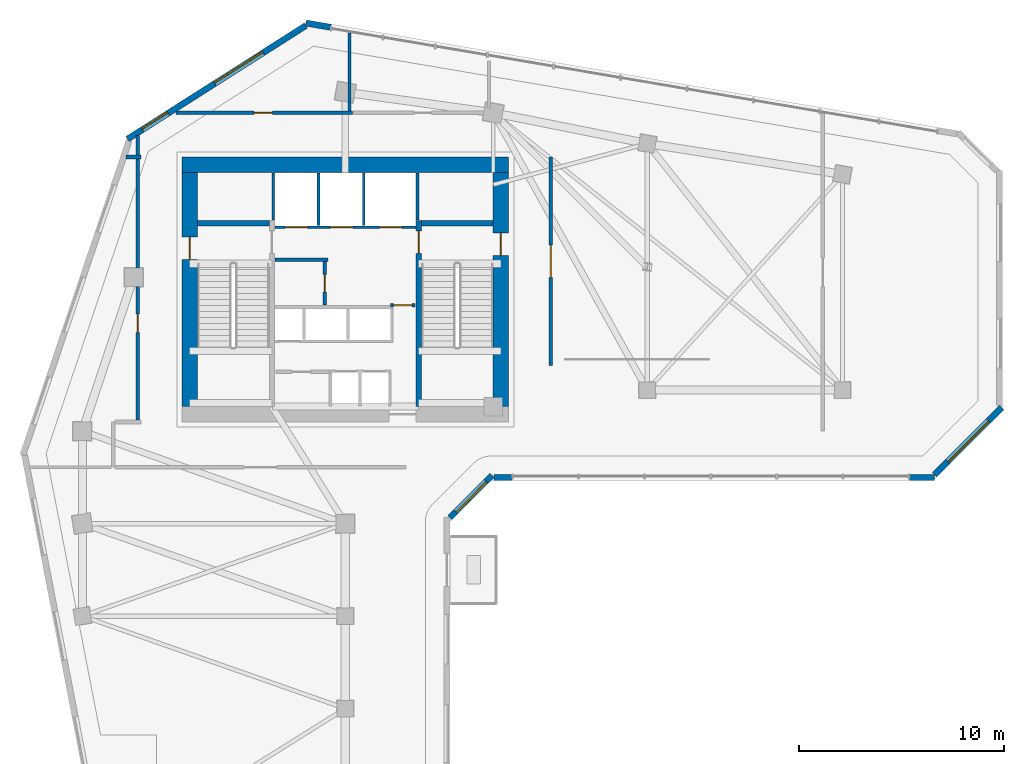
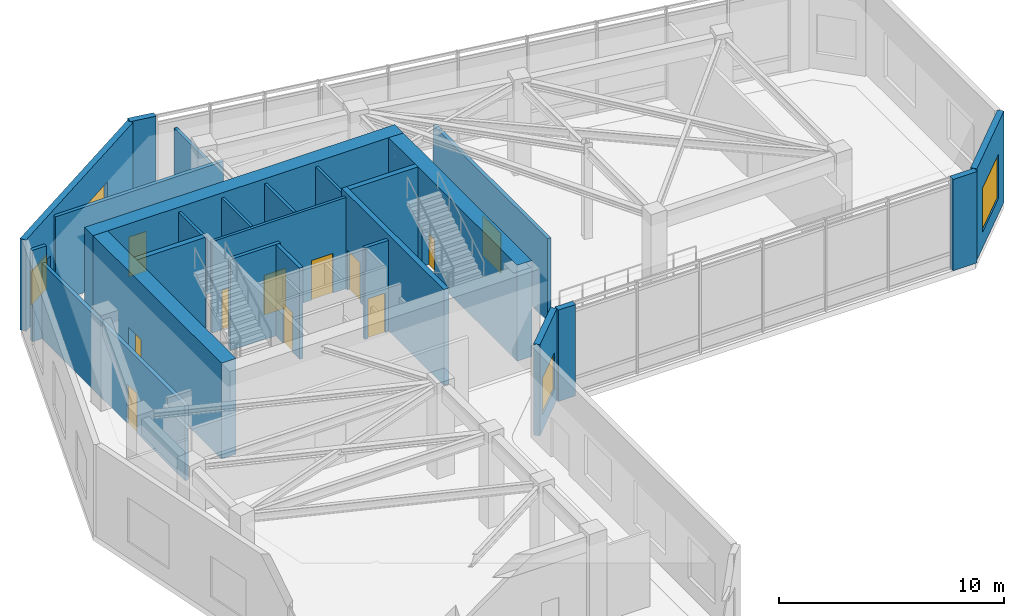
# One storey, part 5 of 9: 25 walls, 11 doors, 4 windows, 15 openings.
"""IFC4 building model written with IfcOpenShell, lengths in metres."""

import ifcopenshell
import ifcopenshell.guid

model = None  # the IFC model being written
_history = None  # IfcOwnerHistory: only IFC2X3 demands one
_inside = {}  # id of a spatial element -> (the spatial element, [elements in it])
_under = {}  # id of a project, library or spatial element -> (it, [spatial elements below it])
_declared = {}  # id of a project -> (the project, [libraries it declares])
_typed = {}  # id of a type object -> (the type object, [elements of that type])
_made_of = {}  # id of a material, layer set ... -> (it, [elements and type objects made of it])


def new_model(schema):
    """Start an empty IFC model of exactly this schema.

    Asked for "IFC4X3", IfcOpenShell would pick the latest addendum, in which some entities
    have other attributes; the version numbers below select the first issue.
    IFC2X3 requires an IfcOwnerHistory on every rooted entity: one is made here for all.
    """
    global model, _history
    if schema == "IFC4X3":
        model = ifcopenshell.file(schema_version=(4, 3, 0, 0))
    else:
        model = ifcopenshell.file(schema=schema)
    _inside.clear()
    _under.clear()
    _declared.clear()
    _typed.clear()
    _made_of.clear()
    _history = None
    if model.schema == "IFC2X3":
        org = make("IfcOrganization", Name="unknown")
        user = make(
            "IfcPersonAndOrganization",
            ThePerson=make("IfcPerson", FamilyName="unknown"),
            TheOrganization=org,
        )
        app = make(
            "IfcApplication",
            ApplicationDeveloper=org,
            Version="unknown",
            ApplicationFullName="unknown",
            ApplicationIdentifier="unknown",
        )
        _history = make(
            "IfcOwnerHistory",
            OwningUser=user,
            OwningApplication=app,
            ChangeAction="ADDED",
            CreationDate=0,
        )
    return model


def make(cls, **values):
    """One entity of the class cls with the attributes given. An attribute that is None is left unset."""
    return model.create_entity(
        cls, **{name: value for name, value in values.items() if value is not None}
    )


def rooted(cls, **values):
    """An entity with a GlobalId (a new one), such as an element, a storey or a relation."""
    return make(cls, GlobalId=ifcopenshell.guid.new(), OwnerHistory=_history, **values)


def si_unit(unit_type, name, prefix=None):
    """IfcSIUnit, for example si_unit("LENGTHUNIT", "METRE", prefix="MILLI")."""
    return make("IfcSIUnit", UnitType=unit_type, Prefix=prefix, Name=name)


def assignment(units):
    """IfcUnitAssignment: the units of a project."""
    return None if units is None else make("IfcUnitAssignment", Units=units)


def point(xyz):
    """IfcCartesianPoint."""
    return None if xyz is None else make("IfcCartesianPoint", Coordinates=xyz)


def direction(xyz):
    """IfcDirection."""
    return None if xyz is None else make("IfcDirection", DirectionRatios=xyz)


def frame(location, z_axis=None, x_axis=None):
    """IfcAxis2Placement3D, a coordinate frame: its origin and axes. An axis left out is left unset."""
    return make(
        "IfcAxis2Placement3D",
        Location=point(location),
        Axis=direction(z_axis),
        RefDirection=direction(x_axis),
    )


def frame_2d(location, x_axis=None):
    """IfcAxis2Placement2D, a coordinate frame in the plane: its origin and x axis."""
    return make(
        "IfcAxis2Placement2D", Location=point(location), RefDirection=direction(x_axis)
    )


def origin():
    """The frame at (0, 0, 0) with its axes left unset."""
    return frame((0.0, 0.0, 0.0))


def place(relative_to, where):
    """IfcLocalPlacement: puts the frame where relative to a parent placement (None: the world)."""
    return make(
        "IfcLocalPlacement", PlacementRelTo=relative_to, RelativePlacement=where
    )


def context(
    kind, dimensions, precision=None, world=None, true_north=None, identifier=None
):
    """IfcGeometricRepresentationContext, for example the 3D "Model" context."""
    return make(
        "IfcGeometricRepresentationContext",
        ContextIdentifier=identifier,
        ContextType=kind,
        CoordinateSpaceDimension=dimensions,
        Precision=precision,
        WorldCoordinateSystem=world,
        TrueNorth=true_north,
    )


def subcontext(parent, identifier, kind, view, scale=None):
    """IfcGeometricRepresentationSubContext, for example "Body" below "Model"."""
    return make(
        "IfcGeometricRepresentationSubContext",
        ContextIdentifier=identifier,
        ContextType=kind,
        ParentContext=parent,
        TargetScale=scale,
        TargetView=view,
    )


def project(units=None, contexts=None):
    """IfcProject with its units and contexts."""
    return rooted(
        "IfcProject",
        Name="project",
        RepresentationContexts=contexts,
        UnitsInContext=assignment(units),
    )


def spatial(cls, under=None, at=None, **own):
    """A site, building, storey or space (cls), placed at a placement, below another one or the project."""
    s = rooted(cls, ObjectPlacement=at, **own)
    if under is not None:
        _under.setdefault(under.id(), (under, []))[1].append(s)
    return s


def profile(cls, at=None, kind="AREA", **sizes):
    """A parametric profile (cls). Its sizes go by their IFC names, for example OverallWidth=200.0."""
    return make(cls, ProfileType=kind, Position=at, **sizes)


def rectangle(**sizes):
    """IfcRectangleProfileDef."""
    return profile("IfcRectangleProfileDef", **sizes)


def extrude(swept, where, along, depth):
    """IfcExtrudedAreaSolid: the profile swept, set in the frame where, extruded along a direction by depth."""
    return make(
        "IfcExtrudedAreaSolid",
        SweptArea=swept,
        Position=where,
        ExtrudedDirection=direction(along),
        Depth=depth,
    )


def shape(context_of_items, identifier, shape_type, items):
    """IfcShapeRepresentation: the items that make up one representation, for example the "Body"."""
    return make(
        "IfcShapeRepresentation",
        ContextOfItems=context_of_items,
        RepresentationIdentifier=identifier,
        RepresentationType=shape_type,
        Items=items,
    )


def source(mapping_origin, context_of_items, identifier, shape_type, items):
    """IfcRepresentationMap: a shape defined once, which mapped items show again and again."""
    return make(
        "IfcRepresentationMap",
        MappingOrigin=mapping_origin,
        MappedRepresentation=shape(context_of_items, identifier, shape_type, items),
    )


def transform(
    local_origin,
    x_axis=None,
    y_axis=None,
    z_axis=None,
    scale=None,
    scale2=None,
    scale3=None,
    uniform=True,
):
    """IfcCartesianTransformationOperator3D, or its non-uniform kind. x_axis, y_axis, z_axis: its Axis1, 2, 3."""
    if uniform:
        return make(
            "IfcCartesianTransformationOperator3D",
            Axis1=direction(x_axis),
            Axis2=direction(y_axis),
            LocalOrigin=point(local_origin),
            Scale=scale,
            Axis3=direction(z_axis),
        )
    return make(
        "IfcCartesianTransformationOperator3DnonUniform",
        Axis1=direction(x_axis),
        Axis2=direction(y_axis),
        LocalOrigin=point(local_origin),
        Scale=scale,
        Axis3=direction(z_axis),
        Scale2=scale2,
        Scale3=scale3,
    )


def mapped(mapping_source, mapping_target):
    """IfcMappedItem: shows the shape of a source again, moved by a transform."""
    return make(
        "IfcMappedItem", MappingSource=mapping_source, MappingTarget=mapping_target
    )


def material(Name=None, Category=None):
    """IfcMaterial."""
    return make("IfcMaterial", Name=Name, Category=Category)


def layer(
    of_material, thickness, ventilated=None, Name=None, Category=None, Priority=None
):
    """IfcMaterialLayer: one layer of a wall or slab, of a material (None: an air gap)."""
    return make(
        "IfcMaterialLayer",
        Material=of_material,
        LayerThickness=thickness,
        IsVentilated=ventilated,
        Name=Name,
        Category=Category,
        Priority=Priority,
    )


def layer_set(layers, Name=None):
    """IfcMaterialLayerSet."""
    return make("IfcMaterialLayerSet", MaterialLayers=layers, LayerSetName=Name)


def made_of(thing, what):
    """Note that an element or type object is made of a material, layer set ...; save() writes the relation."""
    if what is not None:
        _made_of.setdefault(what.id(), (what, []))[1].append(thing)
    return thing


def type_object(cls, material=None, **own):
    """A type object (cls), such as IfcWallType, which elements share."""
    return made_of(rooted(cls, **own), material)


def element(
    cls,
    number,
    at=None,
    inside=None,
    cuts=None,
    type_object=None,
    material=None,
    context=None,
    identifier="Body",
    shape_type=None,
    held_by="IfcProductDefinitionShape",
    body=None,
    shapes=None,
    **own,
):
    """One element of the class cls, such as IfcWall. Its Tag is "e" and its number.

    at: its placement. inside: the storey or other place that contains it. cuts: it is an
    opening in that element (IfcRelVoidsElement). A single representation is given by context,
    identifier, shape_type and body (its items); several are given by shapes. held_by: the class
    of the entity that holds the representations. save() writes the other relations.
    """
    e = rooted(cls, Tag="e%d" % number, ObjectPlacement=at, **own)
    if body is not None:
        shapes = [shape(context, identifier, shape_type, body)]
    if shapes is not None:
        e.Representation = make(held_by, Representations=shapes)
    if inside is not None:
        _inside.setdefault(inside.id(), (inside, []))[1].append(e)
    if cuts is not None:
        rooted(
            "IfcRelVoidsElement", RelatingBuildingElement=cuts, RelatedOpeningElement=e
        )
    if type_object is not None:
        _typed.setdefault(type_object.id(), (type_object, []))[1].append(e)
    return made_of(e, material)


def fill(opening, filler):
    """IfcRelFillsElement: the door or window that sits in an opening."""
    return rooted(
        "IfcRelFillsElement",
        RelatingOpeningElement=opening,
        RelatedBuildingElement=filler,
    )


def aggregate(whole, parts):
    """IfcRelAggregates: a whole, such as a stair, and the parts it consists of."""
    return rooted("IfcRelAggregates", RelatingObject=whole, RelatedObjects=parts)


def save(model, path):
    """Write the relations noted so far, then the file.

    IfcRelAggregates (storeys below a building ...), IfcRelContainedInSpatialStructure (elements
    in a storey), IfcRelDefinesByType, IfcRelAssociatesMaterial and IfcRelDeclares: one each for
    every whole, place, type object, material and project.
    """
    for whole, parts in _under.values():
        aggregate(whole, parts)
    for where, things in _inside.values():
        rooted(
            "IfcRelContainedInSpatialStructure",
            RelatedElements=things,
            RelatingStructure=where,
        )
    for kind, things in _typed.values():
        rooted("IfcRelDefinesByType", RelatedObjects=things, RelatingType=kind)
    for what, things in _made_of.values():
        rooted("IfcRelAssociatesMaterial", RelatedObjects=things, RelatingMaterial=what)
    for by, libraries in _declared.values():
        rooted("IfcRelDeclares", RelatingContext=by, RelatedDefinitions=libraries)
    model.write(path)


model = new_model("IFC4")

# Units and contexts
model_context = context("Model", 3, precision=1e-05, world=origin(), true_north=direction((0.0, 1.0)))
body_context = subcontext(model_context, "Body", "Model", "MODEL_VIEW")
ifc_project = project(units=[si_unit("LENGTHUNIT", "METRE"), si_unit("AREAUNIT", "SQUARE_METRE"), si_unit("VOLUMEUNIT", "CUBIC_METRE"), si_unit("PLANEANGLEUNIT", "RADIAN"), si_unit("MASSUNIT", "GRAM", prefix="KILO")], contexts=[model_context])

# Site, building, storey
site_placement = place(None, origin())
site = spatial("IfcSite", under=ifc_project, at=site_placement, CompositionType="ELEMENT")
building_placement = place(site_placement, origin())
building = spatial("IfcBuilding", under=site, at=building_placement, Name="Calvemar Wedge Station Tower", CompositionType="ELEMENT")
storey_placement = place(building_placement, frame((0.0, 0.0, 105.39990234375)))
storey = spatial("IfcBuildingStorey", under=building, at=storey_placement, Name="L25", CompositionType="ELEMENT", Elevation=105.39990234375)

# Wall, opening, door
ifc_material_1 = material(Name="Concrete C50", Category="concrete")
ifc_layer_1 = layer(ifc_material_1, 0.260009765625)
ifc_layer_set_1 = layer_set([ifc_layer_1], Name="Concrete C50")
wall_type_1 = type_object("IfcWallType", Name="SW-CORE-260", PredefinedType="SHEAR", material=ifc_layer_set_1)
wall_1_placement = place(storey_placement, frame((27.3701171875, 34.199951171875, 0.0), z_axis=(0.0, 0.0, 1.0), x_axis=(0.0, 1.0, 0.0)))
wall_1 = element("IfcWall", 1, at=wall_1_placement, inside=storey, type_object=wall_type_1, Name="Storey L25 Core Shear Wall SPINE-E", PredefinedType="SHEAR", context=body_context, shape_type="SweptSolid", body=[
    extrude(rectangle(XDim=9.06005859375, YDim=0.260009765625, at=frame_2d((4.530029296875, 0.0))), origin(), (0.0, 0.0, 1.0), 5.2001953125),
])
shared_shape_1 = source(origin(), body_context, "Body", "SweptSolid", [
    extrude(rectangle(XDim=1.10009765625, YDim=2.14990234375, at=frame_2d((0.550048828125, 1.074951171875))), frame((0.0, 0.14013671875, 0.0), z_axis=(0.0, -1.0, 0.0), x_axis=(1.0, 0.0, 0.0)), (0.0, 0.0, 1.0), 0.280029296875),
])
opening_1_placement = place(wall_1_placement, frame((7.449951171875, 0.0, 0.0)))
opening_1 = element("IfcOpeningElement", 2, at=opening_1_placement, cuts=wall_1, Name="Opening FD-90", PredefinedType="OPENING", context=body_context, shape_type="MappedRepresentation", body=[
    mapped(shared_shape_1, transform((0.0, 0.0, 0.0), scale=1.0)),
])
ifc_material_2 = material(Name="Galvanized fire-rated steel door leaf P-90", Category="steel")
door_type_1 = type_object("IfcDoorType", Name="DR-FD90-1100", OperationType="NOTDEFINED", PredefinedType="DOOR", material=ifc_material_2)
shared_shape_2 = source(origin(), body_context, "Body", "SweptSolid", [
    extrude(rectangle(XDim=1.10009765625, YDim=2.14990234375, at=frame_2d((0.550048828125, 1.074951171875))), frame((0.0, 0.02490234375, 0.0), z_axis=(0.0, -1.0, 0.0), x_axis=(1.0, 0.0, 0.0)), (0.0, 0.0, 1.0), 0.050048828125),
])
door_1_placement = place(opening_1_placement, origin())
door_1 = element("IfcDoor", 3, at=door_1_placement, inside=storey, type_object=door_type_1, Name="L25 FF Lobby to Stair ST-C2 Door", OperationType="SINGLE_SWING_LEFT", OverallHeight=2.14990234375, OverallWidth=1.10009765625, PredefinedType="DOOR", context=body_context, shape_type="MappedRepresentation", body=[
    mapped(shared_shape_2, transform((0.0, 0.0, 0.0), scale=1.0)),
])
fill(opening_1, door_1)

# Walls
for number, where, z_axis, x_axis, name in (
    (4, (16.60009765625, 43.1298828125, 0.0), (0.0, 0.0, 1.0), (1.0, 0.0, 0.0), "Storey L25 Core Shear Wall STC1-N"),
    (5, (27.5, 43.1298828125, 0.0), (0.0, 0.0, 1.0), (1.0, 0.0, 0.0), "Storey L25 Core Shear Wall STC2-N"),
):
    element("IfcWall", number, at=place(storey_placement, frame(where, z_axis=z_axis, x_axis=x_axis)), inside=storey, type_object=wall_type_1, Name=name, PredefinedType="SHEAR", context=body_context, shape_type="SweptSolid", body=[
        extrude(rectangle(XDim=3.5, YDim=0.260009765625, at=frame_2d((1.75, 0.0))), origin(), (0.0, 0.0, 1.0), 5.2001953125),
    ])
ifc_material_3 = material(Name="Concrete C70", Category="concrete")
ifc_layer_2 = layer(ifc_material_3, 0.75)
ifc_layer_set_2 = layer_set([ifc_layer_2], Name="Concrete C70")
wall_type_2 = type_object("IfcWallType", Name="SW-CORE-750", PredefinedType="SHEAR", material=ifc_layer_set_2)
wall_2_placement = place(storey_placement, frame((15.85009765625, 45.97509765625, 0.0), z_axis=(0.0, 0.0, 1.0), x_axis=(1.0, 0.0, 0.0)))
element("IfcWall", 6, at=wall_2_placement, inside=storey, type_object=wall_type_2, Name="Storey L25 Core Shear Wall N", PredefinedType="SHEAR", context=body_context, shape_type="SweptSolid", body=[
    extrude(rectangle(XDim=15.89990234375, YDim=0.75, at=frame_2d((7.949951171875, 0.0))), origin(), (0.0, 0.0, 1.0), 5.2001953125),
])

# Wall, opening, door
wall_3_placement = place(storey_placement, frame((16.22509765625, 34.199951171875, 0.0), z_axis=(0.0, 0.0, 1.0), x_axis=(0.0, 1.0, 0.0)))
wall_3 = element("IfcWall", 7, at=wall_3_placement, inside=storey, type_object=wall_type_2, Name="Storey L25 Core Shear Wall W", PredefinedType="SHEAR", context=body_context, shape_type="SweptSolid", body=[
    extrude(rectangle(XDim=11.400146484375, YDim=0.75, at=frame_2d((5.7001953125, 0.0))), origin(), (0.0, 0.0, 1.0), 5.2001953125),
])
shared_shape_3 = source(origin(), body_context, "Body", "SweptSolid", [
    extrude(rectangle(XDim=1.10009765625, YDim=2.14990234375, at=frame_2d((0.550048828125, 1.074951171875))), frame((0.0, 0.385009765625, 0.0), z_axis=(0.0, -1.0, 0.0), x_axis=(1.0, 0.0, 0.0)), (0.0, 0.0, 1.0), 0.77001953125),
])
opening_2_placement = place(wall_3_placement, frame((7.14990234375, 0.0, 0.0)))
opening_2 = element("IfcOpeningElement", 8, at=opening_2_placement, cuts=wall_3, Name="Opening FD-90", PredefinedType="OPENING", context=body_context, shape_type="MappedRepresentation", body=[
    mapped(shared_shape_3, transform((0.0, 0.0, 0.0), scale=1.0)),
])
door_2_placement = place(opening_2_placement, origin())
door_2 = element("IfcDoor", 9, at=door_2_placement, inside=storey, type_object=door_type_1, Name="L25 West Corridor to Exit Stair ST-C1 Door", OperationType="SINGLE_SWING_RIGHT", OverallHeight=2.14990234375, OverallWidth=1.10009765625, PredefinedType="DOOR", context=body_context, shape_type="MappedRepresentation", body=[
    mapped(shared_shape_2, transform((0.0, 0.0, 0.0), scale=1.0)),
])
fill(opening_2, door_2)

wall_4_placement = place(storey_placement, frame((31.375, 34.199951171875, 0.0), z_axis=(0.0, 0.0, 1.0), x_axis=(0.0, 1.0, 0.0)))
wall_4 = element("IfcWall", 10, at=wall_4_placement, inside=storey, type_object=wall_type_2, Name="Storey L25 Core Shear Wall E", PredefinedType="SHEAR", context=body_context, shape_type="SweptSolid", body=[
    extrude(rectangle(XDim=11.400146484375, YDim=0.75, at=frame_2d((5.7001953125, 0.0))), origin(), (0.0, 0.0, 1.0), 5.2001953125),
])
opening_3_placement = place(wall_4_placement, frame((7.35009765625, 0.0, 0.0)))
opening_3 = element("IfcOpeningElement", 11, at=opening_3_placement, cuts=wall_4, Name="Opening FD-90", PredefinedType="OPENING", context=body_context, shape_type="MappedRepresentation", body=[
    mapped(shared_shape_3, transform((0.0, 0.0, 0.0), scale=1.0)),
])
door_3_placement = place(opening_3_placement, origin())
door_3 = element("IfcDoor", 12, at=door_3_placement, inside=storey, type_object=door_type_1, Name="L25 East Corridor to Exit Stair ST-C2 Door", OperationType="SINGLE_SWING_LEFT", OverallHeight=2.14990234375, OverallWidth=1.10009765625, PredefinedType="DOOR", context=body_context, shape_type="MappedRepresentation", body=[
    mapped(shared_shape_2, transform((0.0, 0.0, 0.0), scale=1.0)),
])
fill(opening_3, door_3)

# Wall
ifc_material_4 = material(Name="Double-stud fire-rated corridor partition")
ifc_layer_3 = layer(ifc_material_4, 0.179931640625)
ifc_layer_set_3 = layer_set([ifc_layer_3], Name="Double-stud fire-rated corridor partition")
wall_type_3 = type_object("IfcWallType", Name="W-CORR-180", PredefinedType="PARTITIONING", material=ifc_layer_set_3)
wall_5_placement = place(storey_placement, frame((22.9599609375, 41.35009765625, 0.0), z_axis=(0.0, 0.0, 1.0), x_axis=(-1.0, 0.0, 0.0)))
element("IfcWall", 13, at=wall_5_placement, inside=storey, type_object=wall_type_3, Name="Storey L25 Interior Partition WL-L25-001", PredefinedType="PARTITIONING", context=body_context, shape_type="SweptSolid", body=[
    extrude(rectangle(XDim=2.580078125, YDim=0.179931640625, at=frame_2d((1.2900390625, 0.0))), origin(), (0.0, 0.0, 1.0), 4.9501953125),
])

# Wall, opening, door
wall_6_placement = place(storey_placement, frame((22.800048828125, 41.256103515625, 0.0), z_axis=(0.0, 0.0, 1.0), x_axis=(0.0, -1.0, 0.0)))
wall_6 = element("IfcWall", 14, at=wall_6_placement, inside=storey, type_object=wall_type_3, Name="Storey L25 Interior Partition WL-L25-002", PredefinedType="PARTITIONING", context=body_context, shape_type="SweptSolid", body=[
    extrude(rectangle(XDim=2.106201171875, YDim=0.179931640625, at=frame_2d((1.05322265625, 0.0))), origin(), (0.0, 0.0, 1.0), 4.9501953125),
])
shared_shape_4 = source(origin(), body_context, "Body", "SweptSolid", [
    extrude(rectangle(XDim=0.85009765625, YDim=2.14990234375, at=frame_2d((0.425048828125, 1.074951171875))), frame((0.0, 0.10009765625, 0.0), z_axis=(0.0, -1.0, 0.0), x_axis=(1.0, 0.0, 0.0)), (0.0, 0.0, 1.0), 0.199951171875),
])
opening_4_placement = place(wall_6_placement, frame((0.6279296875, 0.0, 0.0)))
opening_4 = element("IfcOpeningElement", 15, at=opening_4_placement, cuts=wall_6, Name="Opening FD-60S", PredefinedType="OPENING", context=body_context, shape_type="MappedRepresentation", body=[
    mapped(shared_shape_4, transform((0.0, 0.0, 0.0), scale=1.0)),
])
ifc_material_5 = material(Name="Fire-rated steel and hardwood service door EI 60", Category="steel")
door_type_2 = type_object("IfcDoorType", Name="DR-CORE-FD60-850", OperationType="NOTDEFINED", PredefinedType="DOOR", material=ifc_material_5)
shared_shape_5 = source(origin(), body_context, "Body", "SweptSolid", [
    extrude(rectangle(XDim=0.85009765625, YDim=2.14990234375, at=frame_2d((0.425048828125, 1.074951171875))), frame((0.0, 0.02490234375, 0.0), z_axis=(0.0, -1.0, 0.0), x_axis=(1.0, 0.0, 0.0)), (0.0, 0.0, 1.0), 0.050048828125),
])
door_4_placement = place(opening_4_placement, origin())
door_4 = element("IfcDoor", 16, at=door_4_placement, inside=storey, type_object=door_type_2, Name="L25 Core Electrical Switch Room Door", OperationType="SINGLE_SWING_RIGHT", OverallHeight=2.14990234375, OverallWidth=0.85009765625, PredefinedType="DOOR", context=body_context, shape_type="MappedRepresentation", body=[
    mapped(shared_shape_5, transform((0.0, 0.0, 0.0), scale=1.0)),
])
fill(opening_4, door_4)

wall_7_placement = place(storey_placement, frame((27.199951171875, 39.1298828125, 0.0), z_axis=(0.0, 0.0, 1.0), x_axis=(-1.0, 0.0, 0.0)))
wall_7 = element("IfcWall", 17, at=wall_7_placement, inside=storey, type_object=wall_type_3, Name="Storey L25 Interior Partition WL-L25-003", PredefinedType="PARTITIONING", context=body_context, shape_type="SweptSolid", body=[
    extrude(rectangle(XDim=1.2099609375, YDim=0.179931640625, at=frame_2d((0.60498046875, 0.0))), origin(), (0.0, 0.0, 1.0), 4.9501953125),
])
shared_shape_6 = source(origin(), body_context, "Body", "SweptSolid", [
    extrude(rectangle(XDim=0.89990234375, YDim=2.14990234375, at=frame_2d((0.449951171875, 1.074951171875))), frame((0.0, 0.10009765625, 0.0), z_axis=(0.0, -1.0, 0.0), x_axis=(1.0, 0.0, 0.0)), (0.0, 0.0, 1.0), 0.199951171875),
])
opening_5_placement = place(wall_7_placement, frame((0.155029296875, 0.0, 0.0)))
opening_5 = element("IfcOpeningElement", 18, at=opening_5_placement, cuts=wall_7, Name="Opening FD-60", PredefinedType="OPENING", context=body_context, shape_type="MappedRepresentation", body=[
    mapped(shared_shape_6, transform((0.0, 0.0, 0.0), scale=1.0)),
])
ifc_material_6 = material(Name="Fire-rated acoustic timber-core entrance door EI 60", Category="wood")
door_type_3 = type_object("IfcDoorType", Name="DR-FD60-900", OperationType="NOTDEFINED", PredefinedType="DOOR", material=ifc_material_6)
shared_shape_7 = source(origin(), body_context, "Body", "SweptSolid", [
    extrude(rectangle(XDim=0.89990234375, YDim=2.14990234375, at=frame_2d((0.449951171875, 1.074951171875))), frame((0.0, 0.02490234375, 0.0), z_axis=(0.0, -1.0, 0.0), x_axis=(1.0, 0.0, 0.0)), (0.0, 0.0, 1.0), 0.050048828125),
])
door_5_placement = place(opening_5_placement, origin())
door_5 = element("IfcDoor", 19, at=door_5_placement, inside=storey, type_object=door_type_3, Name="L25 Core Service Lobby Door", OperationType="SINGLE_SWING_LEFT", OverallHeight=2.14990234375, OverallWidth=0.89990234375, PredefinedType="DOOR", context=body_context, shape_type="MappedRepresentation", body=[
    mapped(shared_shape_7, transform((0.0, 0.0, 0.0), scale=1.0)),
])
fill(opening_5, door_5)

wall_8_placement = place(storey_placement, frame((13.699951171875, 33.5439453125, 0.0), z_axis=(0.0, 0.0, 1.0), x_axis=(0.0, 1.0, 0.0)))
wall_8 = element("IfcWall", 20, at=wall_8_placement, inside=storey, type_object=wall_type_3, Name="Storey L25 Interior Partition WL-L25-008", PredefinedType="PARTITIONING", context=body_context, shape_type="SweptSolid", body=[
    extrude(rectangle(XDim=13.860107421875, YDim=0.179931640625, at=frame_2d((6.93017578125, 0.0))), origin(), (0.0, 0.0, 1.0), 4.092041015625),
])
opening_6_placement = place(wall_8_placement, frame((4.252685546875, 0.0, 0.0)))
opening_6 = element("IfcOpeningElement", 21, at=opening_6_placement, cuts=wall_8, Name="Opening D-01", PredefinedType="OPENING", context=body_context, shape_type="MappedRepresentation", body=[
    mapped(shared_shape_6, transform((0.0, 0.0, 0.0), scale=1.0)),
])
ifc_material_7 = material(Name="Architectural hardwood acoustic swing door", Category="wood")
door_type_4 = type_object("IfcDoorType", Name="DR-INT-900", OperationType="NOTDEFINED", PredefinedType="DOOR", material=ifc_material_7)
shared_shape_8 = source(origin(), body_context, "Body", "SweptSolid", [
    extrude(rectangle(XDim=0.89990234375, YDim=2.14990234375, at=frame_2d((0.449951171875, 1.074951171875))), frame((0.0, 0.02490234375, 0.0), z_axis=(0.0, -1.0, 0.0), x_axis=(1.0, 0.0, 0.0)), (0.0, 0.0, 1.0), 0.050048828125),
])
door_6_placement = place(opening_6_placement, origin())
door_6 = element("IfcDoor", 22, at=door_6_placement, inside=storey, type_object=door_type_4, Name="L25 Executive Lounge Door", OperationType="SINGLE_SWING_LEFT", OverallHeight=2.14990234375, OverallWidth=0.89990234375, PredefinedType="DOOR", context=body_context, shape_type="MappedRepresentation", body=[
    mapped(shared_shape_8, transform((0.0, 0.0, 0.0), scale=1.0)),
])
fill(opening_6, door_6)

# Wall
wall_9_placement = place(storey_placement, frame((13.860107421875, 46.35009765625, 0.0), z_axis=(0.0, 0.0, 1.0), x_axis=(-1.0, 0.0, 0.0)))
element("IfcWall", 23, at=wall_9_placement, inside=storey, type_object=wall_type_3, Name="Storey L25 Interior Partition WL-L25-009", PredefinedType="PARTITIONING", context=body_context, shape_type="SweptSolid", body=[
    extrude(rectangle(XDim=0.73486328125, YDim=0.179931640625, at=frame_2d((0.367431640625, 0.0))), origin(), (0.0, 0.0, 1.0), 4.9501953125),
])

# Wall, opening, door
wall_10_placement = place(storey_placement, frame((15.552490234375, 48.5, 0.0), z_axis=(0.0, 0.0, 1.0), x_axis=(1.0, 0.0, 0.0)))
wall_10 = element("IfcWall", 24, at=wall_10_placement, inside=storey, type_object=wall_type_3, Name="Storey L25 Interior Partition WL-L25-010", PredefinedType="PARTITIONING", context=body_context, shape_type="SweptSolid", body=[
    extrude(rectangle(XDim=8.607421875, YDim=0.179931640625, at=frame_2d((4.3037109375, 0.0))), origin(), (0.0, 0.0, 1.0), 4.619140625),
])
opening_7_placement = place(wall_10_placement, frame((3.793212890625, 0.0, 0.0)))
opening_7 = element("IfcOpeningElement", 25, at=opening_7_placement, cuts=wall_10, Name="Opening FD-60", PredefinedType="OPENING", context=body_context, shape_type="MappedRepresentation", body=[
    mapped(shared_shape_6, transform((0.0, 0.0, 0.0), scale=1.0)),
])
door_7_placement = place(opening_7_placement, origin())
door_7 = element("IfcDoor", 26, at=door_7_placement, inside=storey, type_object=door_type_3, Name="L25 Sky Lounge Kitchen Door", OperationType="SINGLE_SWING_RIGHT", OverallHeight=2.14990234375, OverallWidth=0.89990234375, PredefinedType="DOOR", context=body_context, shape_type="MappedRepresentation", body=[
    mapped(shared_shape_7, transform((0.0, 0.0, 0.0), scale=1.0)),
])
fill(opening_7, door_7)

wall_11_placement = place(storey_placement, frame((33.800048828125, 46.35009765625, 0.0), z_axis=(0.0, 0.0, 1.0), x_axis=(0.0, -1.0, 0.0)))
wall_11 = element("IfcWall", 27, at=wall_11_placement, inside=storey, type_object=wall_type_3, Name="Storey L25 Interior Partition WL-L25-012", PredefinedType="PARTITIONING", context=body_context, shape_type="SweptSolid", body=[
    extrude(rectangle(XDim=10.150146484375, YDim=0.179931640625, at=frame_2d((5.0751953125, 0.0))), origin(), (0.0, 0.0, 1.0), 4.47900390625),
])
shared_shape_9 = source(origin(), body_context, "Body", "SweptSolid", [
    extrude(rectangle(XDim=1.60009765625, YDim=2.14990234375, at=frame_2d((0.800048828125, 1.074951171875))), frame((0.0, 0.10009765625, 0.0), z_axis=(0.0, -1.0, 0.0), x_axis=(1.0, 0.0, 0.0)), (0.0, 0.0, 1.0), 0.199951171875),
])
opening_8_placement = place(wall_11_placement, frame((4.27490234375, 0.0, 0.0)))
opening_8 = element("IfcOpeningElement", 28, at=opening_8_placement, cuts=wall_11, Name="Opening DD-160", PredefinedType="OPENING", context=body_context, shape_type="MappedRepresentation", body=[
    mapped(shared_shape_9, transform((0.0, 0.0, 0.0), scale=1.0)),
])
ifc_material_8 = material(Name="Double-leaf fire-rated lobby door EI 60")
door_type_5 = type_object("IfcDoorType", Name="DR-DBL-1600", OperationType="DOUBLE_DOOR_SINGLE_SWING", PredefinedType="DOOR", material=ifc_material_8)
shared_shape_10 = source(origin(), body_context, "Body", "SweptSolid", [
    extrude(rectangle(XDim=1.60009765625, YDim=2.14990234375, at=frame_2d((0.800048828125, 1.074951171875))), frame((0.0, 0.02490234375, 0.0), z_axis=(0.0, -1.0, 0.0), x_axis=(1.0, 0.0, 0.0)), (0.0, 0.0, 1.0), 0.050048828125),
])
door_8_placement = place(opening_8_placement, origin())
door_8 = element("IfcDoor", 29, at=door_8_placement, inside=storey, type_object=door_type_5, Name="L25 Hotel Sky Lobby Door", OperationType="SINGLE_SWING_RIGHT", OverallHeight=2.14990234375, OverallWidth=1.60009765625, PredefinedType="DOOR", context=body_context, shape_type="MappedRepresentation", body=[
    mapped(shared_shape_10, transform((0.0, 0.0, 0.0), scale=1.0)),
])
fill(opening_8, door_8)

# Wall, opening, window
ifc_material_9 = material(Name="Precast concrete C45", Category="concrete")
ifc_layer_4 = layer(ifc_material_9, 0.300048828125)
ifc_layer_set_4 = layer_set([ifc_layer_4], Name="Precast concrete C45")
wall_type_4 = type_object("IfcWallType", Name="W-EXT-GFRC-300", PredefinedType="SOLIDWALL", material=ifc_layer_set_4)
wall_12_placement = place(storey_placement, frame((28.884033203125, 28.7919921875, 0.0), z_axis=(0.0, 0.0, 1.0), x_axis=(0.707064797706, 0.707148762175, 0.0)))
wall_12 = element("IfcWall", 30, at=wall_12_placement, inside=storey, type_object=wall_type_4, Name="Storey L25 Bronze GFRC Exterior Wall 5", PredefinedType="SOLIDWALL", context=body_context, shape_type="SweptSolid", body=[
    extrude(rectangle(XDim=2.90771484375, YDim=0.300048828125, at=frame_2d((1.453857421875, 0.0))), origin(), (0.0, 0.0, 1.0), 4.9501953125),
])
shared_shape_11 = source(origin(), body_context, "Body", "SweptSolid", [
    extrude(rectangle(XDim=2.10009765625, YDim=2.0, at=frame_2d((1.050048828125, 1.0))), frame((0.0, 0.16015625, 0.0), z_axis=(0.0, -1.0, 0.0), x_axis=(1.0, 0.0, 0.0)), (0.0, 0.0, 1.0), 0.320068359375),
])
opening_9_placement = place(wall_12_placement, frame((0.404052734375, 0.0, 0.85009765625)))
opening_9 = element("IfcOpeningElement", 31, at=opening_9_placement, cuts=wall_12, Name="Opening W4", PredefinedType="OPENING", context=body_context, shape_type="MappedRepresentation", body=[
    mapped(shared_shape_11, transform((0.0, 0.0, 0.0), scale=1.0)),
])
ifc_material_10 = material(Name="Low-E laminated insulated glass", Category="glass")
window_type_1 = type_object("IfcWindowType", Name="WIN-EXT-4", PartitioningType="SINGLE_PANEL", PredefinedType="WINDOW", material=ifc_material_10)
shared_shape_12 = source(origin(), body_context, "Body", "SweptSolid", [
    extrude(rectangle(XDim=2.10009765625, YDim=2.0, at=frame_2d((1.050048828125, 1.0))), frame((0.0, -0.014892578125, 0.0), z_axis=(0.0, -1.0, 0.0), x_axis=(1.0, 0.0, 0.0)), (0.0, 0.0, 1.0), 0.06005859375),
])
window_1_placement = place(opening_9_placement, origin())
window_1 = element("IfcWindow", 32, at=window_1_placement, inside=storey, type_object=window_type_1, Name="Storey L25 Recessed Window 5.1", OverallHeight=2.0, OverallWidth=2.10009765625, PartitioningType="SINGLE_PANEL", PredefinedType="WINDOW", context=body_context, shape_type="MappedRepresentation", body=[
    mapped(shared_shape_12, transform((0.0, 0.0, 0.0), scale=1.0)),
])
fill(opening_9, window_1)

# Walls
wall_13_placement = place(storey_placement, frame((31.029052734375, 30.741943359375, 0.0), z_axis=(0.0, 0.0, 1.0), x_axis=(1.0, 0.0, 0.0)))
element("IfcWall", 33, at=wall_13_placement, inside=storey, type_object=wall_type_4, Name="Storey L25 Bronze GFRC Corner Pier 6A", PredefinedType="SOLIDWALL", context=body_context, shape_type="SweptSolid", body=[
    extrude(rectangle(XDim=0.8798828125, YDim=0.300048828125, at=frame_2d((0.43994140625, 0.0))), origin(), (0.0, 0.0, 1.0), 4.9501953125),
])
wall_14_placement = place(storey_placement, frame((51.262939453125, 30.741943359375, 0.0), z_axis=(0.0, 0.0, 1.0), x_axis=(1.0, 0.0, 0.0)))
element("IfcWall", 34, at=wall_14_placement, inside=storey, type_object=wall_type_4, Name="Storey L25 Bronze GFRC Corner Pier 6B", PredefinedType="SOLIDWALL", context=body_context, shape_type="SweptSolid", body=[
    extrude(rectangle(XDim=1.224853515625, YDim=0.300048828125, at=frame_2d((0.6123046875, 0.0))), origin(), (0.0, 0.0, 1.0), 4.9501953125),
])

# Wall, opening, window
wall_15_placement = place(storey_placement, frame((52.475830078125, 30.8798828125, 0.0), z_axis=(0.0, 0.0, 1.0), x_axis=(0.707106781187, 0.707106781187, 0.0)))
wall_15 = element("IfcWall", 35, at=wall_15_placement, inside=storey, type_object=wall_type_4, Name="Storey L25 Bronze GFRC Exterior Wall 7", PredefinedType="SOLIDWALL", context=body_context, shape_type="SweptSolid", body=[
    extrude(rectangle(XDim=4.638916015625, YDim=0.300048828125, at=frame_2d((2.3193359375, 0.0))), origin(), (0.0, 0.0, 1.0), 4.9501953125),
])
shared_shape_13 = source(origin(), body_context, "Body", "SweptSolid", [
    extrude(rectangle(XDim=2.800048828125, YDim=2.39990234375, at=frame_2d((1.39990234375, 1.199951171875))), frame((0.0, 0.16015625, 0.0), z_axis=(0.0, -1.0, 0.0), x_axis=(1.0, 0.0, 0.0)), (0.0, 0.0, 1.0), 0.320068359375),
])
opening_10_placement = place(wall_15_placement, frame((0.9189453125, 0.0, 0.85009765625)))
opening_10 = element("IfcOpeningElement", 36, at=opening_10_placement, cuts=wall_15, Name="Opening W6", PredefinedType="OPENING", context=body_context, shape_type="MappedRepresentation", body=[
    mapped(shared_shape_13, transform((0.0, 0.0, 0.0), scale=1.0)),
])
window_type_2 = type_object("IfcWindowType", Name="WIN-EXT-6", PartitioningType="SINGLE_PANEL", PredefinedType="WINDOW", material=ifc_material_10)
shared_shape_14 = source(origin(), body_context, "Body", "SweptSolid", [
    extrude(rectangle(XDim=2.800048828125, YDim=2.39990234375, at=frame_2d((1.39990234375, 1.199951171875))), frame((0.0, -0.014892578125, 0.0), z_axis=(0.0, -1.0, 0.0), x_axis=(1.0, 0.0, 0.0)), (0.0, 0.0, 1.0), 0.06005859375),
])
window_2_placement = place(opening_10_placement, origin())
window_2 = element("IfcWindow", 37, at=window_2_placement, inside=storey, type_object=window_type_2, Name="Storey L25 Recessed Window 7.1", OverallHeight=2.39990234375, OverallWidth=2.800048828125, PartitioningType="SINGLE_PANEL", PredefinedType="WINDOW", context=body_context, shape_type="MappedRepresentation", body=[
    mapped(shared_shape_14, transform((0.0, 0.0, 0.0), scale=1.0)),
])
fill(opening_10, window_2)

# Wall
wall_16_placement = place(storey_placement, frame((23.091552734375, 52.662109375, 0.0), z_axis=(0.0, 0.0, 1.0), x_axis=(-0.98582257249, 0.167791106941, 0.0)))
element("IfcWall", 38, at=wall_16_placement, inside=storey, type_object=wall_type_4, Name="Storey L25 Bronze GFRC Corner Pier 10B", PredefinedType="SOLIDWALL", context=body_context, shape_type="SweptSolid", body=[
    extrude(rectangle(XDim=1.22509765625, YDim=0.300048828125, at=frame_2d((0.612548828125, 0.0))), origin(), (0.0, 0.0, 1.0), 4.9501953125),
])

# Wall, openings, windows
wall_17_placement = place(storey_placement, frame((21.874755859375, 52.742431640625, 0.0), z_axis=(0.0, 0.0, 1.0), x_axis=(-0.843662465249, -0.536873956092, 0.0)))
wall_17 = element("IfcWall", 39, at=wall_17_placement, inside=storey, type_object=wall_type_4, Name="Storey L25 Bronze GFRC Exterior Wall 11", PredefinedType="SOLIDWALL", context=body_context, shape_type="SweptSolid", body=[
    extrude(rectangle(XDim=10.283935546875, YDim=0.300048828125, at=frame_2d((5.14208984375, 0.0))), origin(), (0.0, 0.0, 1.0), 4.9501953125),
])
opening_11_placement = place(wall_17_placement, frame((2.4560546875, 0.0, 0.85009765625)))
opening_11 = element("IfcOpeningElement", 40, at=opening_11_placement, cuts=wall_17, Name="Opening W6", PredefinedType="OPENING", context=body_context, shape_type="MappedRepresentation", body=[
    mapped(shared_shape_13, transform((0.0, 0.0, 0.0), scale=1.0)),
])
shared_shape_15 = source(origin(), body_context, "Body", "SweptSolid", [
    extrude(rectangle(XDim=1.5, YDim=1.800048828125, at=frame_2d((0.75, 0.89990234375))), frame((0.0, 0.16015625, 0.0), z_axis=(0.0, -1.0, 0.0), x_axis=(1.0, 0.0, 0.0)), (0.0, 0.0, 1.0), 0.320068359375),
])
opening_12_placement = place(wall_17_placement, frame((7.93701171875, 0.0, 0.85009765625)))
opening_12 = element("IfcOpeningElement", 41, at=opening_12_placement, cuts=wall_17, Name="Opening W3", PredefinedType="OPENING", context=body_context, shape_type="MappedRepresentation", body=[
    mapped(shared_shape_15, transform((0.0, 0.0, 0.0), scale=1.0)),
])
window_3_placement = place(opening_11_placement, origin())
window_3 = element("IfcWindow", 42, at=window_3_placement, inside=storey, type_object=window_type_2, Name="Storey L25 Recessed Window 11.1", OverallHeight=2.39990234375, OverallWidth=2.800048828125, PartitioningType="SINGLE_PANEL", PredefinedType="WINDOW", context=body_context, shape_type="MappedRepresentation", body=[
    mapped(shared_shape_14, transform((0.0, 0.0, 0.0), scale=1.0)),
])
fill(opening_11, window_3)
window_type_3 = type_object("IfcWindowType", Name="WIN-EXT-3", PartitioningType="SINGLE_PANEL", PredefinedType="WINDOW", material=ifc_material_10)
shared_shape_16 = source(origin(), body_context, "Body", "SweptSolid", [
    extrude(rectangle(XDim=1.5, YDim=1.800048828125, at=frame_2d((0.75, 0.89990234375))), frame((0.0, -0.014892578125, 0.0), z_axis=(0.0, -1.0, 0.0), x_axis=(1.0, 0.0, 0.0)), (0.0, 0.0, 1.0), 0.06005859375),
])
window_4_placement = place(opening_12_placement, origin())
window_4 = element("IfcWindow", 43, at=window_4_placement, inside=storey, type_object=window_type_3, Name="Storey L25 Recessed Window 11.2", OverallHeight=1.800048828125, OverallWidth=1.5, PartitioningType="SINGLE_PANEL", PredefinedType="WINDOW", context=body_context, shape_type="MappedRepresentation", body=[
    mapped(shared_shape_16, transform((0.0, 0.0, 0.0), scale=1.0)),
])
fill(opening_12, window_4)

# Wall, openings, doors
ifc_material_11 = material(Name="Reinforced concrete blockwork lift shaft wall", Category="masonry")
ifc_layer_5 = layer(ifc_material_11, 0.139892578125)
ifc_layer_set_5 = layer_set([ifc_layer_5], Name="Reinforced concrete blockwork lift shaft wall")
wall_type_5 = type_object("IfcWallType", Name="W-LIFT-160", PredefinedType="SOLIDWALL", material=ifc_layer_set_5)
wall_18_placement = place(storey_placement, frame((20.3701171875, 42.929931640625, 0.0), z_axis=(0.0, 0.0, 1.0), x_axis=(1.0, 0.0, 0.0)))
wall_18 = element("IfcWall", 44, at=wall_18_placement, inside=storey, type_object=wall_type_5, Name="Storey L25 Firefighting and Service Lift Shaft Front Wall", PredefinedType="SOLIDWALL", context=body_context, shape_type="SweptSolid", body=[
    extrude(rectangle(XDim=6.85986328125, YDim=0.139892578125, at=frame_2d((3.429931640625, 0.0))), origin(), (0.0, 0.0, 1.0), 4.9501953125),
])
shared_shape_17 = source(origin(), body_context, "Body", "SweptSolid", [
    extrude(rectangle(XDim=1.10009765625, YDim=2.14990234375, at=frame_2d((0.550048828125, 1.074951171875))), frame((0.0, 0.080078125, 0.0), z_axis=(0.0, -1.0, 0.0), x_axis=(1.0, 0.0, 0.0)), (0.0, 0.0, 1.0), 0.159912109375),
])
opening_13_placement = place(wall_18_placement, frame((0.5, 0.0, 0.0)))
opening_13 = element("IfcOpeningElement", 45, at=opening_13_placement, cuts=wall_18, Name="Opening LD-FF", PredefinedType="OPENING", context=body_context, shape_type="MappedRepresentation", body=[
    mapped(shared_shape_17, transform((0.0, 0.0, 0.0), scale=1.0)),
])
opening_14_placement = place(wall_18_placement, frame((2.699951171875, 0.0, 0.0)))
opening_14 = element("IfcOpeningElement", 46, at=opening_14_placement, cuts=wall_18, Name="Opening LD-FF", PredefinedType="OPENING", context=body_context, shape_type="MappedRepresentation", body=[
    mapped(shared_shape_17, transform((0.0, 0.0, 0.0), scale=1.0)),
])
opening_15_placement = place(wall_18_placement, frame((5.10009765625, 0.0, 0.0)))
opening_15 = element("IfcOpeningElement", 47, at=opening_15_placement, cuts=wall_18, Name="Opening LD-STN", PredefinedType="OPENING", context=body_context, shape_type="MappedRepresentation", body=[
    mapped(shared_shape_17, transform((0.0, 0.0, 0.0), scale=1.0)),
])
ifc_material_12 = material(Name="Stainless steel firefighting lift sliding landing door", Category="steel")
door_type_6 = type_object("IfcDoorType", Name="DR-LD-FF-1100", OperationType="SLIDING_TO_LEFT", PredefinedType="DOOR", material=ifc_material_12)
shared_shape_18 = source(origin(), body_context, "Body", "SweptSolid", [
    extrude(rectangle(XDim=1.10009765625, YDim=2.14990234375, at=frame_2d((0.550048828125, 1.074951171875))), frame((0.0, 0.02490234375, 0.0), z_axis=(0.0, -1.0, 0.0), x_axis=(1.0, 0.0, 0.0)), (0.0, 0.0, 1.0), 0.050048828125),
])
door_9_placement = place(opening_13_placement, origin())
door_9 = element("IfcDoor", 48, at=door_9_placement, inside=storey, type_object=door_type_6, Name="L25 Lift FF-01 Sliding Landing Door", OperationType="SLIDING_TO_LEFT", OverallHeight=2.14990234375, OverallWidth=1.10009765625, PredefinedType="DOOR", context=body_context, shape_type="MappedRepresentation", body=[
    mapped(shared_shape_18, transform((0.0, 0.0, 0.0), scale=1.0)),
])
fill(opening_13, door_9)
door_10_placement = place(opening_14_placement, origin())
door_10 = element("IfcDoor", 49, at=door_10_placement, inside=storey, type_object=door_type_6, Name="L25 Lift FF-02 Sliding Landing Door", OperationType="SLIDING_TO_RIGHT", OverallHeight=2.14990234375, OverallWidth=1.10009765625, PredefinedType="DOOR", context=body_context, shape_type="MappedRepresentation", body=[
    mapped(shared_shape_18, transform((0.0, 0.0, 0.0), scale=1.0)),
])
fill(opening_14, door_10)
ifc_material_13 = material(Name="Stainless steel transit lift sliding landing door", Category="steel")
door_type_7 = type_object("IfcDoorType", Name="DR-LD-PAX-1100", OperationType="SLIDING_TO_LEFT", PredefinedType="DOOR", material=ifc_material_13)
shared_shape_19 = source(origin(), body_context, "Body", "SweptSolid", [
    extrude(rectangle(XDim=1.10009765625, YDim=2.14990234375, at=frame_2d((0.550048828125, 1.074951171875))), frame((0.0, 0.02490234375, 0.0), z_axis=(0.0, -1.0, 0.0), x_axis=(1.0, 0.0, 0.0)), (0.0, 0.0, 1.0), 0.050048828125),
])
door_11_placement = place(opening_15_placement, origin())
door_11 = element("IfcDoor", 50, at=door_11_placement, inside=storey, type_object=door_type_7, Name="L25 Lift SV-01 Sliding Landing Door", OperationType="SLIDING_TO_LEFT", OverallHeight=2.14990234375, OverallWidth=1.10009765625, PredefinedType="DOOR", context=body_context, shape_type="MappedRepresentation", body=[
    mapped(shared_shape_19, transform((0.0, 0.0, 0.0), scale=1.0)),
])
fill(opening_15, door_11)

# Walls
for number, where, z_axis, x_axis, name in (
    (51, (20.2900390625, 43.280029296875, 0.0), (0.0, 0.0, 1.0), (0.0, 1.0, 0.0), "Storey L25 Firefighting Lift Shaft Enclosure Wall W"),
    (52, (27.31005859375, 43.280029296875, 0.0), (0.0, 0.0, 1.0), (0.0, 1.0, 0.0), "Storey L25 Firefighting Lift Shaft Enclosure Wall E"),
):
    element("IfcWall", number, at=place(storey_placement, frame(where, z_axis=z_axis, x_axis=x_axis)), inside=storey, type_object=wall_type_5, Name=name, PredefinedType="SOLIDWALL", context=body_context, shape_type="SweptSolid", body=[
        extrude(rectangle(XDim=2.300048828125, YDim=0.139892578125, at=frame_2d((1.14990234375, 0.0))), origin(), (0.0, 0.0, 1.0), 4.9501953125),
    ])
for number, where, z_axis, x_axis, name in (
    (53, (22.5, 43.02001953125, 0.0), (0.0, 0.0, 1.0), (0.0, 1.0, 0.0), "Storey L25 Firefighting Lift Shaft Enclosure Wall D1"),
    (54, (24.699951171875, 43.02001953125, 0.0), (0.0, 0.0, 1.0), (0.0, 1.0, 0.0), "Storey L25 Firefighting Lift Shaft Enclosure Wall D2"),
):
    element("IfcWall", number, at=place(storey_placement, frame(where, z_axis=z_axis, x_axis=x_axis)), inside=storey, type_object=wall_type_5, Name=name, PredefinedType="SOLIDWALL", context=body_context, shape_type="SweptSolid", body=[
        extrude(rectangle(XDim=2.56005859375, YDim=0.139892578125, at=frame_2d((1.280029296875, 0.0))), origin(), (0.0, 0.0, 1.0), 4.9501953125),
    ])
ifc_material_14 = material(Name="Moisture-resistant acoustic bathroom partition")
ifc_layer_6 = layer(ifc_material_14, 0.14990234375)
ifc_layer_set_6 = layer_set([ifc_layer_6], Name="Moisture-resistant acoustic bathroom partition")
wall_type_6 = type_object("IfcWallType", Name="W-WET-150", PredefinedType="PARTITIONING", material=ifc_layer_set_6)
wall_19_placement = place(storey_placement, frame((24.0, 52.39111328125, 0.0), z_axis=(0.0, 0.0, 1.0), x_axis=(0.0, -1.0, 0.0)))
element("IfcWall", 55, at=wall_19_placement, inside=storey, type_object=wall_type_6, Name="Storey L25 Interior Partition WL-L25-015", PredefinedType="PARTITIONING", context=body_context, shape_type="SweptSolid", body=[
    extrude(rectangle(XDim=3.797119140625, YDim=0.14990234375, at=frame_2d((1.8984375, 0.0))), origin(), (0.0, 0.0, 1.0), 4.092041015625),
])

save(model, "model.ifc")
